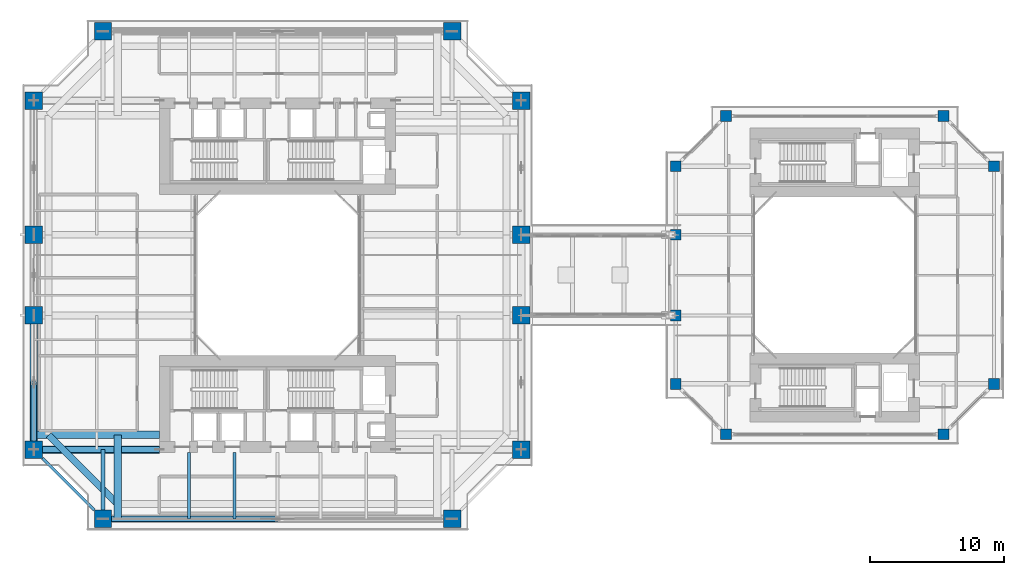
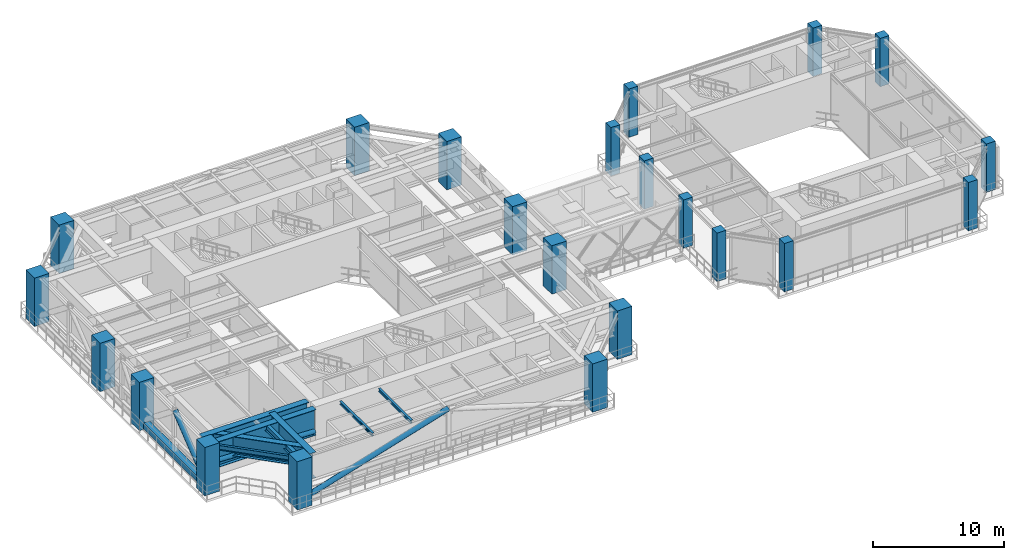
# One storey, part 1 of 25: 22 columns, 8 beams, 4 members.
"""IFC4 building model written with IfcOpenShell, lengths in metres."""

from ifc_helpers import new_model, si_unit, direction, frame, origin, origin_2d, place, context, subcontext, project, spatial, rectangle, hollow_rectangle, hollow_circle, i_section, extrude, source, transform, mapped, material, material_profile, profile_set, type_object, element, save


model = new_model("IFC4")

# Units and contexts
model_context = context("Model", 3, precision=1e-05, world=origin(), true_north=direction((0.0, 1.0)))
body_context = subcontext(model_context, "Body", "Model", "MODEL_VIEW")
ifc_project = project(units=[si_unit("LENGTHUNIT", "METRE"), si_unit("AREAUNIT", "SQUARE_METRE"), si_unit("VOLUMEUNIT", "CUBIC_METRE"), si_unit("PLANEANGLEUNIT", "RADIAN"), si_unit("MASSUNIT", "GRAM", prefix="KILO"), si_unit("THERMODYNAMICTEMPERATUREUNIT", "KELVIN"), si_unit("POWERUNIT", "WATT")], contexts=[model_context])

# Site, building, storey
site_placement = place(None, origin())
site = spatial("IfcSite", under=ifc_project, at=site_placement, CompositionType="ELEMENT")
building_placement = place(site_placement, origin())
building = spatial("IfcBuilding", under=site, at=building_placement, Name="Qiaomeng Ring Towers", CompositionType="ELEMENT")
storey_placement = place(building_placement, frame((0.0, 0.0, 92.5)))
storey = spatial("IfcBuildingStorey", under=building, at=storey_placement, Name="L26", CompositionType="ELEMENT", Elevation=92.5)

# Columns
ifc_material_1 = material(Name="Concrete C60", Category="concrete")
ifc_material_profile_1 = material_profile(ifc_material_1, rectangle(XDim=1.300048828125, YDim=1.300048828125, at=origin_2d()), Name="RC COL 1300x1300")
ifc_profile_set_1 = profile_set([ifc_material_profile_1], Name="Concrete C60")
column_type_1 = type_object("IfcColumnType", Name="STR-COL-1300", PredefinedType="COLUMN", material=ifc_profile_set_1)
shared_shape_1 = source(origin(), body_context, "Body", "SweptSolid", [
    extrude(rectangle(XDim=1.300048828125, YDim=1.300048828125, at=origin_2d()), origin(), (0.0, 0.0, 1.0), 4.5),
])
for number, where, z_axis, x_axis, name in (
    (1, (6.0, 4.85009765625, 0.0), (0.0, 0.0, 1.0), (1.0, 0.0, 0.0), "L26 column STR-COL-L26-T1-S1"),
    (2, (32.0, 4.85009765625, 0.0), (0.0, 0.0, 1.0), (1.0, 0.0, 0.0), "L26 column STR-COL-L26-T1-S2"),
    (3, (37.14990234375, 10.0, 0.0), (0.0, 0.0, 1.0), (1.0, 0.0, 0.0), "L26 column STR-COL-L26-T1-E1"),
    (4, (37.14990234375, 20.0, 0.0), (0.0, 0.0, 1.0), (1.0, 0.0, 0.0), "L26 column STR-COL-L26-T1-E2"),
    (5, (37.14990234375, 26.0, 0.0), (0.0, 0.0, 1.0), (1.0, 0.0, 0.0), "L26 column STR-COL-L26-T1-E3"),
    (6, (37.14990234375, 36.0, 0.0), (0.0, 0.0, 1.0), (1.0, 0.0, 0.0), "L26 column STR-COL-L26-T1-E4"),
    (7, (32.0, 41.14990234375, 0.0), (0.0, 0.0, 1.0), (1.0, 0.0, 0.0), "L26 column STR-COL-L26-T1-N2"),
    (8, (6.0, 41.14990234375, 0.0), (0.0, 0.0, 1.0), (1.0, 0.0, 0.0), "L26 column STR-COL-L26-T1-N1"),
    (9, (0.85009765625, 36.0, 0.0), (0.0, 0.0, 1.0), (1.0, 0.0, 0.0), "L26 column STR-COL-L26-T1-W4"),
    (10, (0.85009765625, 26.0, 0.0), (0.0, 0.0, 1.0), (1.0, 0.0, 0.0), "L26 column STR-COL-L26-T1-W3"),
    (11, (0.85009765625, 20.0, 0.0), (0.0, 0.0, 1.0), (1.0, 0.0, 0.0), "L26 column STR-COL-L26-T1-W2"),
    (12, (0.85009765625, 10.0, 0.0), (0.0, 0.0, 1.0), (1.0, 0.0, 0.0), "L26 column STR-COL-L26-T1-W1"),
):
    element("IfcColumn", number, at=place(storey_placement, frame(where, z_axis=z_axis, x_axis=x_axis)), inside=storey, type_object=column_type_1, Name=name, PredefinedType="COLUMN", context=body_context, shape_type="MappedRepresentation", body=[
        mapped(shared_shape_1, transform((0.0, 0.0, 0.0), x_axis=(1.0, 0.0, 0.0), y_axis=(0.0, 1.0, 0.0), z_axis=(0.0, 0.0, 1.0), scale=1.0)),
    ])
ifc_material_2 = material(Name="Concrete C55", Category="concrete")
ifc_material_profile_2 = material_profile(ifc_material_2, rectangle(XDim=0.800048828125, YDim=0.800048828125, at=origin_2d()), Name="RC COL 800x800")
ifc_profile_set_2 = profile_set([ifc_material_profile_2], Name="Concrete C55")
column_type_2 = type_object("IfcColumnType", Name="STR-COL-800-C55", PredefinedType="COLUMN", material=ifc_profile_set_2)
shared_shape_2 = source(origin(), body_context, "Body", "SweptSolid", [
    extrude(rectangle(XDim=0.800048828125, YDim=0.800048828125, at=origin_2d()), origin(), (0.0, 0.0, 1.0), 4.5),
])
for number, where, z_axis, x_axis, name in (
    (13, (52.39990234375, 11.14990234375, 0.0), (0.0, 0.0, 1.0), (1.0, 0.0, 0.0), "L26 column STR-COL-L26-T2-S1"),
    (14, (68.60009765625, 11.14990234375, 0.0), (0.0, 0.0, 1.0), (1.0, 0.0, 0.0), "L26 column STR-COL-L26-T2-S2"),
    (15, (72.35009765625, 14.89990234375, 0.0), (0.0, 0.0, 1.0), (1.0, 0.0, 0.0), "L26 column STR-COL-L26-T2-E1"),
    (16, (72.35009765625, 31.10009765625, 0.0), (0.0, 0.0, 1.0), (1.0, 0.0, 0.0), "L26 column STR-COL-L26-T2-E2"),
    (17, (68.60009765625, 34.85009765625, 0.0), (0.0, 0.0, 1.0), (1.0, 0.0, 0.0), "L26 column STR-COL-L26-T2-N2"),
    (18, (52.39990234375, 34.85009765625, 0.0), (0.0, 0.0, 1.0), (1.0, 0.0, 0.0), "L26 column STR-COL-L26-T2-N1"),
    (19, (48.64990234375, 14.89990234375, 0.0), (0.0, 0.0, 1.0), (1.0, 0.0, 0.0), "L26 column STR-COL-L26-T2-W1"),
    (20, (48.64990234375, 20.0, 0.0), (0.0, 0.0, 1.0), (1.0, 0.0, 0.0), "L26 column STR-COL-L26-T2-W2"),
    (21, (48.64990234375, 26.0, 0.0), (0.0, 0.0, 1.0), (1.0, 0.0, 0.0), "L26 column STR-COL-L26-T2-W3"),
    (22, (48.64990234375, 31.10009765625, 0.0), (0.0, 0.0, 1.0), (1.0, 0.0, 0.0), "L26 column STR-COL-L26-T2-W4"),
):
    element("IfcColumn", number, at=place(storey_placement, frame(where, z_axis=z_axis, x_axis=x_axis)), inside=storey, type_object=column_type_2, Name=name, PredefinedType="COLUMN", context=body_context, shape_type="MappedRepresentation", body=[
        mapped(shared_shape_2, transform((0.0, 0.0, 0.0), x_axis=(1.0, 0.0, 0.0), y_axis=(0.0, 1.0, 0.0), z_axis=(0.0, 0.0, 1.0), scale=1.0)),
    ])

# Beams
ifc_material_3 = material(Name="Steel Q355B", Category="steel")
ifc_material_profile_3 = material_profile(ifc_material_3, i_section(OverallWidth=0.199951171875, OverallDepth=0.449951171875, WebThickness=0.009033203125, FlangeThickness=0.013916015625, FilletRadius=0.01806640625, at=origin_2d()), Name="HN 450x200x9x14")
ifc_profile_set_3 = profile_set([ifc_material_profile_3], Name="Steel Q355B")
beam_type_1 = type_object("IfcBeamType", Name="STR-BM-HN450", PredefinedType="SPANDREL", material=ifc_profile_set_3)
shared_shape_3 = source(origin(), body_context, "Body", "SweptSolid", [
    extrude(i_section(OverallWidth=0.199951171875, OverallDepth=0.449951171875, WebThickness=0.009033203125, FlangeThickness=0.013916015625, FilletRadius=0.01806640625, at=origin_2d()), origin(), (0.0, 0.0, 1.0), 5.446533203125),
])
beam_1_placement = place(storey_placement, frame((1.499267578125, 9.3505859375, 4.094970703125), z_axis=(0.707106781187, -0.707106781187, 0.0), x_axis=(0.707106781187, 0.707106781187, 0.0)))
element("IfcBeam", 23, at=beam_1_placement, inside=storey, type_object=beam_type_1, Name="L26 beam STR-SP-L26-T1-W1-S1", PredefinedType="SPANDREL", context=body_context, shape_type="MappedRepresentation", body=[
    mapped(shared_shape_3, transform((0.0, 0.0, 0.0), x_axis=(1.0, 0.0, 0.0), y_axis=(0.0, 1.0, 0.0), z_axis=(0.0, 0.0, 1.0), scale=1.0)),
])
ifc_material_profile_4 = material_profile(ifc_material_3, i_section(OverallWidth=0.300048828125, OverallDepth=0.587890625, WebThickness=0.011962890625, FlangeThickness=0.02001953125, FilletRadius=0.028076171875, at=origin_2d()), Name="HM 588x300x12x20")
ifc_profile_set_4 = profile_set([ifc_material_profile_4], Name="Steel Q355B")
beam_type_2 = type_object("IfcBeamType", Name="STR-BM-HM588", PredefinedType="BEAM", material=ifc_profile_set_4)
shared_shape_4 = source(origin(), body_context, "Body", "SweptSolid", [
    extrude(i_section(OverallWidth=0.300048828125, OverallDepth=0.587890625, WebThickness=0.011962890625, FlangeThickness=0.02001953125, FilletRadius=0.028076171875, at=origin_2d()), origin(), (0.0, 0.0, 1.0), 4.5009765625),
])
beam_2_placement = place(storey_placement, frame((6.0, 5.4990234375, 4.02587890625), z_axis=(0.0, 1.0, 0.0), x_axis=(-1.0, 0.0, 0.0)))
element("IfcBeam", 24, at=beam_2_placement, inside=storey, type_object=beam_type_2, Name="L26 beam STR-BM-L26-T1-RAD-S1", PredefinedType="BEAM", context=body_context, shape_type="MappedRepresentation", body=[
    mapped(shared_shape_4, transform((0.0, 0.0, 0.0), x_axis=(1.0, 0.0, 0.0), y_axis=(0.0, 1.0, 0.0), z_axis=(0.0, 0.0, 1.0), scale=1.0)),
])
ifc_material_profile_5 = material_profile(ifc_material_3, i_section(OverallWidth=0.199951171875, OverallDepth=0.2939453125, WebThickness=0.008056640625, FlangeThickness=0.011962890625, FilletRadius=0.01806640625, at=origin_2d()), Name="HM 294x200x8x12")
ifc_profile_set_5 = profile_set([ifc_material_profile_5], Name="Steel Q355B")
beam_type_3 = type_object("IfcBeamType", Name="STR-BM-HM294", PredefinedType="JOIST", material=ifc_profile_set_5)
shared_shape_5 = source(origin(), body_context, "Body", "SweptSolid", [
    extrude(i_section(OverallWidth=0.199951171875, OverallDepth=0.2939453125, WebThickness=0.008056640625, FlangeThickness=0.011962890625, FilletRadius=0.01806640625, at=origin_2d()), origin(), (0.0, 0.0, 1.0), 4.949951171875),
])
for number, where, z_axis, x_axis, name in (
    (25, (12.39990234375, 4.85009765625, 4.173095703125), (0.0, 1.0, 0.0), (-1.0, 0.0, 0.0), "L26 beam STR-JST-L26-T1S-1"),
    (26, (15.800048828125, 4.85009765625, 4.173095703125), (0.0, 1.0, 0.0), (-1.0, 0.0, 0.0), "L26 beam STR-JST-L26-T1S-2"),
):
    element("IfcBeam", number, at=place(storey_placement, frame(where, z_axis=z_axis, x_axis=x_axis)), inside=storey, type_object=beam_type_3, Name=name, PredefinedType="JOIST", context=body_context, shape_type="MappedRepresentation", body=[
        mapped(shared_shape_5, transform((0.0, 0.0, 0.0), x_axis=(1.0, 0.0, 0.0), y_axis=(0.0, 1.0, 0.0), z_axis=(0.0, 0.0, 1.0), scale=1.0)),
    ])

# Members
ifc_material_4 = material(Name="Steel Q390GJC", Category="steel")
ifc_material_profile_6 = material_profile(ifc_material_4, hollow_circle(Radius=0.228515625, WallThickness=0.028076171875, at=origin_2d()), Name="CHS 457x28")
ifc_profile_set_6 = profile_set([ifc_material_profile_6], Name="Steel Q390GJC")
member_type_1 = type_object("IfcMemberType", Name="STR-MB-BR-457", PredefinedType="BRACE", material=ifc_profile_set_6)
shared_shape_6 = source(origin(), body_context, "Body", "SweptSolid", [
    extrude(hollow_circle(Radius=0.228515625, WallThickness=0.028076171875, at=origin_2d()), origin(), (0.0, 0.0, 1.0), 13.595703125),
])
member_1_placement = place(storey_placement, frame((6.0, 4.85009765625, 0.320068359375), z_axis=(0.956191954359, 0.0, 0.292740407902), x_axis=(0.0, 1.0, 0.0)))
element("IfcMember", 27, at=member_1_placement, inside=storey, type_object=member_type_1, Name="L26 Belt Truss Diagonal S1-M", PredefinedType="BRACE", context=body_context, shape_type="MappedRepresentation", body=[
    mapped(shared_shape_6, transform((0.0, 0.0, 0.0), x_axis=(1.0, 0.0, 0.0), y_axis=(0.0, 1.0, 0.0), z_axis=(0.0, 0.0, 1.0), scale=1.0)),
])
ifc_material_profile_7 = material_profile(ifc_material_4, hollow_rectangle(XDim=0.550048828125, YDim=0.550048828125, WallThickness=0.031982421875, at=origin_2d()), Name="SHS 550x550x32")
ifc_profile_set_7 = profile_set([ifc_material_profile_7], Name="Steel Q390GJC")
member_type_2 = type_object("IfcMemberType", Name="STR-MB-CHORD-550", PredefinedType="CHORD", material=ifc_profile_set_7)
shared_shape_7 = source(origin(), body_context, "Body", "SweptSolid", [
    extrude(hollow_rectangle(XDim=0.550048828125, YDim=0.550048828125, WallThickness=0.031982421875, at=origin_2d()), origin(), (0.0, 0.0, 1.0), 10.0),
])
member_2_placement = place(storey_placement, frame((0.85009765625, 20.0, 0.320068359375), z_axis=(0.0, -1.0, 0.0), x_axis=(1.0, 0.0, 0.0)))
element("IfcMember", 28, at=member_2_placement, inside=storey, type_object=member_type_2, Name="L26 Belt Truss Bottom Chord W2-W1", PredefinedType="CHORD", context=body_context, shape_type="MappedRepresentation", body=[
    mapped(shared_shape_7, transform((0.0, 0.0, 0.0), x_axis=(1.0, 0.0, 0.0), y_axis=(0.0, 1.0, 0.0), z_axis=(0.0, 0.0, 1.0), scale=1.0)),
])
shared_shape_8 = source(origin(), body_context, "Body", "SweptSolid", [
    extrude(hollow_circle(Radius=0.228515625, WallThickness=0.028076171875, at=origin_2d()), origin(), (0.0, 0.0, 1.0), 6.390625),
])
member_3_placement = place(storey_placement, frame((0.85009765625, 10.0, 0.320068359375), z_axis=(0.0, 0.782394587595, 0.622783035497), x_axis=(-1.0, 0.0, 0.0)))
element("IfcMember", 29, at=member_3_placement, inside=storey, type_object=member_type_1, Name="L26 Belt Truss Diagonal W1-M", PredefinedType="BRACE", context=body_context, shape_type="MappedRepresentation", body=[
    mapped(shared_shape_8, transform((0.0, 0.0, 0.0), x_axis=(1.0, 0.0, 0.0), y_axis=(0.0, 1.0, 0.0), z_axis=(0.0, 0.0, 1.0), scale=1.0)),
])

# Beams
ifc_material_profile_8 = material_profile(ifc_material_4, i_section(OverallWidth=0.550048828125, OverallDepth=2.39990234375, WebThickness=0.02587890625, FlangeThickness=0.035888671875, at=origin_2d()), Name="WH 2400x550x26x36")
ifc_profile_set_8 = profile_set([ifc_material_profile_8], Name="Steel Q390GJC")
beam_type_4 = type_object("IfcBeamType", Name="STR-TG-WH2400", PredefinedType="USERDEFINED", material=ifc_profile_set_8)
shared_shape_9 = source(origin(), body_context, "Body", "SweptSolid", [
    extrude(i_section(OverallWidth=0.550048828125, OverallDepth=2.39990234375, WebThickness=0.02587890625, FlangeThickness=0.035888671875, at=origin_2d()), origin(), (0.0, 0.0, 1.0), 8.700927734375),
])
beam_3_placement = place(storey_placement, frame((1.4990234375, 10.0, 3.1201171875), z_axis=(1.0, 0.0, 0.0), x_axis=(0.0, 1.0, 0.0)))
element("IfcBeam", 30, at=beam_3_placement, inside=storey, type_object=beam_type_4, Name="L26 Transfer Girder STR-TG2-L26-W1-CUR", ObjectType="TRANSFER GIRDER", PredefinedType="USERDEFINED", context=body_context, shape_type="MappedRepresentation", body=[
    mapped(shared_shape_9, transform((0.0, 0.0, 0.0), x_axis=(1.0, 0.0, 0.0), y_axis=(0.0, 1.0, 0.0), z_axis=(0.0, 0.0, 1.0), scale=1.0)),
])
shared_shape_10 = source(origin(), body_context, "Body", "SweptSolid", [
    extrude(i_section(OverallWidth=0.550048828125, OverallDepth=2.39990234375, WebThickness=0.02587890625, FlangeThickness=0.035888671875, at=origin_2d()), origin(), (0.0, 0.0, 1.0), 9.349853515625),
])
beam_4_placement = place(storey_placement, frame((0.85009765625, 11.10009765625, 3.1201171875), z_axis=(1.0, 0.0, 0.0), x_axis=(0.0, 1.0, 0.0)))
element("IfcBeam", 31, at=beam_4_placement, inside=storey, type_object=beam_type_4, Name="L26 Transfer Girder STR-TG2-L26-W1-NXT", ObjectType="TRANSFER GIRDER", PredefinedType="USERDEFINED", context=body_context, shape_type="MappedRepresentation", body=[
    mapped(shared_shape_10, transform((0.0, 0.0, 0.0), x_axis=(1.0, 0.0, 0.0), y_axis=(0.0, 1.0, 0.0), z_axis=(0.0, 0.0, 1.0), scale=1.0)),
])
shared_shape_11 = source(origin(), body_context, "Body", "SweptSolid", [
    extrude(i_section(OverallWidth=0.550048828125, OverallDepth=2.39990234375, WebThickness=0.02587890625, FlangeThickness=0.035888671875, at=origin_2d()), origin(), (0.0, 0.0, 1.0), 6.25),
])
beam_5_placement = place(storey_placement, frame((7.10009765625, 4.85009765625, 3.1201171875), z_axis=(0.0, 1.0, 0.0), x_axis=(-1.0, 0.0, 0.0)))
element("IfcBeam", 32, at=beam_5_placement, inside=storey, type_object=beam_type_4, Name="L26 Transfer Girder STR-TG2-L26-S1", ObjectType="TRANSFER GIRDER", PredefinedType="USERDEFINED", context=body_context, shape_type="MappedRepresentation", body=[
    mapped(shared_shape_11, transform((0.0, 0.0, 0.0), x_axis=(1.0, 0.0, 0.0), y_axis=(0.0, 1.0, 0.0), z_axis=(0.0, 0.0, 1.0), scale=1.0)),
])
ifc_material_profile_9 = material_profile(ifc_material_4, i_section(OverallWidth=0.5, OverallDepth=1.800048828125, WebThickness=0.02392578125, FlangeThickness=0.035888671875, at=origin_2d()), Name="WH 1800x500x24x36")
ifc_profile_set_9 = profile_set([ifc_material_profile_9], Name="Steel Q390GJC")
beam_type_5 = type_object("IfcBeamType", Name="STR-TG-WH1800", PredefinedType="USERDEFINED", material=ifc_profile_set_9)
shared_shape_12 = source(origin(), body_context, "Body", "SweptSolid", [
    extrude(i_section(OverallWidth=0.5, OverallDepth=1.800048828125, WebThickness=0.02392578125, FlangeThickness=0.035888671875, at=origin_2d()), origin(), (0.0, 0.0, 1.0), 7.283447265625),
])
beam_6_placement = place(storey_placement, frame((1.949951171875, 11.10009765625, 3.419921875), z_axis=(0.707106781187, -0.707106781187, 0.0), x_axis=(0.707106781187, 0.707106781187, 0.0)))
element("IfcBeam", 33, at=beam_6_placement, inside=storey, type_object=beam_type_5, Name="L26 Transfer Girder STR-TG3-L26-W1-S1", ObjectType="TRANSFER GIRDER", PredefinedType="USERDEFINED", context=body_context, shape_type="MappedRepresentation", body=[
    mapped(shared_shape_12, transform((0.0, 0.0, 0.0), x_axis=(1.0, 0.0, 0.0), y_axis=(0.0, 1.0, 0.0), z_axis=(0.0, 0.0, 1.0), scale=1.0)),
])

# Member
shared_shape_13 = source(origin(), body_context, "Body", "SweptSolid", [
    extrude(hollow_circle(Radius=0.228515625, WallThickness=0.028076171875, at=origin_2d()), origin(), (0.0, 0.0, 1.0), 9.3564453125),
])
member_4_placement = place(storey_placement, frame((10.199951171875, 10.0, 2.14990234375), z_axis=(-0.999299702771, 0.0, 0.037417964169), x_axis=(0.0, -1.0, 0.0)))
element("IfcMember", 34, at=member_4_placement, inside=storey, type_object=member_type_1, Name="L26 Core Outrigger Truss Diagonal W1", PredefinedType="BRACE", context=body_context, shape_type="MappedRepresentation", body=[
    mapped(shared_shape_13, transform((0.0, 0.0, 0.0), x_axis=(1.0, 0.0, 0.0), y_axis=(0.0, 1.0, 0.0), z_axis=(0.0, 0.0, 1.0), scale=1.0)),
])

save(model, "model.ifc")
